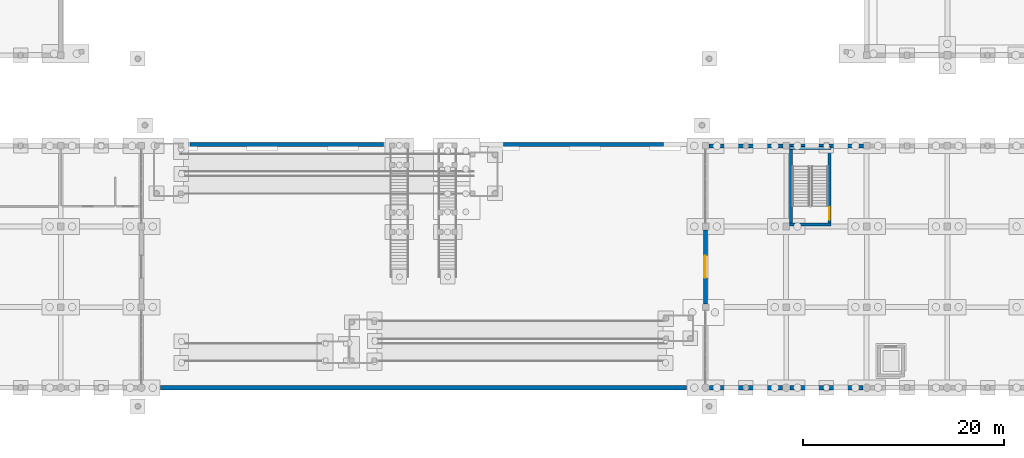
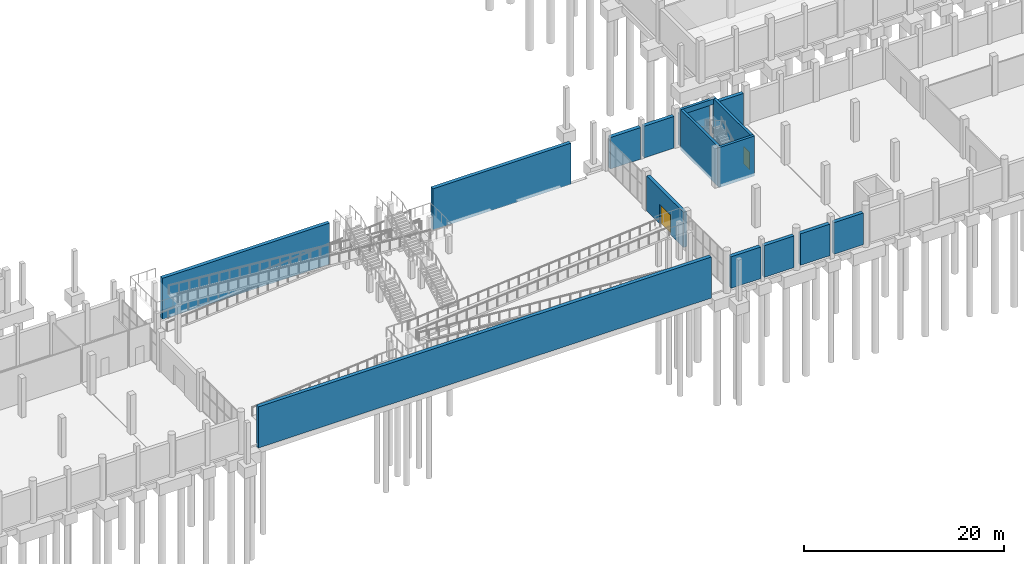
# One storey, part 27 of 52: 16 walls, 2 doors, 2 openings.
"""IFC4 building model written with IfcOpenShell, lengths in metres."""

from ifc_helpers import new_model, si_unit, direction, frame, frame_2d, origin, place, context, subcontext, project, spatial, rectangle, extrude, material, layer, layer_set, type_object, element, fill, save


model = new_model("IFC4")

# Units and contexts
model_context = context("Model", 3, precision=1e-05, world=origin(), true_north=direction((0.0, 1.0)))
body_context = subcontext(model_context, "Body", "Model", "MODEL_VIEW")
ifc_project = project(units=[si_unit("LENGTHUNIT", "METRE"), si_unit("AREAUNIT", "SQUARE_METRE"), si_unit("VOLUMEUNIT", "CUBIC_METRE"), si_unit("PLANEANGLEUNIT", "RADIAN"), si_unit("MASSUNIT", "GRAM", prefix="KILO")], contexts=[model_context])

# Site, building, storey
site_placement = place(None, origin())
site = spatial("IfcSite", under=ifc_project, at=site_placement, CompositionType="ELEMENT")
building_placement = place(site_placement, origin())
building = spatial("IfcBuilding", under=site, at=building_placement, Name="Luwemba Playhouse", CompositionType="ELEMENT")
storey_placement = place(building_placement, frame((0.0, 0.0, -4.800048828125)))
storey = spatial("IfcBuildingStorey", under=building, at=storey_placement, Name="B1", CompositionType="ELEMENT", Elevation=-4.800048828125)

# Wall, opening, door
ifc_material_1 = material(Name="Clay facing brick obra vista masonry", Category="masonry")
ifc_layer_1 = layer(ifc_material_1, 0.3798828125)
ifc_layer_set_1 = layer_set([ifc_layer_1], Name="Clay facing brick obra vista masonry")
wall_type_1 = type_object("IfcWallType", Name="WAL-BRK-380", PredefinedType="SOLIDWALL", material=ifc_layer_set_1)
wall_1_placement = place(storey_placement, frame((116.0, 11.324951171875, 0.0), z_axis=(0.0, 0.0, 1.0), x_axis=(0.0, 1.0, 0.0)))
wall_1 = element("IfcWall", 1, at=wall_1_placement, inside=storey, type_object=wall_type_1, Name="B1 Sunken Forecourt concourse portal wall 0002", PredefinedType="SOLIDWALL", context=body_context, shape_type="SweptSolid", body=[
    extrude(rectangle(XDim=7.35009765625, YDim=0.3798828125, at=frame_2d((3.675048828125, 0.0))), origin(), (0.0, 0.0, 1.0), 4.28515625),
])
opening_1_placement = place(wall_1_placement, frame((2.574951171875, 0.0, 0.0)))
opening_1 = element("IfcOpeningElement", 2, at=opening_1_placement, cuts=wall_1, Name="Opening D-EX2", PredefinedType="OPENING", context=body_context, shape_type="SweptSolid", body=[
    extrude(rectangle(XDim=2.199951171875, YDim=2.39990234375, at=frame_2d((1.10009765625, 1.199951171875))), frame((0.0, 0.199951171875, 0.0), z_axis=(0.0, -1.0, 0.0), x_axis=(1.0, 0.0, 0.0)), (0.0, 0.0, 1.0), 0.39990234375),
])
ifc_material_2 = material(Name="Architectural bronze-anodised aluminium and glazed leaf", Category="aluminium")
door_type_1 = type_object("IfcDoorType", Name="DR-EXIT-220", OperationType="NOTDEFINED", PredefinedType="DOOR", material=ifc_material_2)
door_1_placement = place(opening_1_placement, origin())
door_1 = element("IfcDoor", 3, at=door_1_placement, inside=storey, type_object=door_type_1, Name="B1 Metro Concourse forecourt entrance V5E", OperationType="DOUBLE_DOOR_SINGLE_SWING", OverallHeight=2.39990234375, OverallWidth=2.199951171875, PredefinedType="DOOR", context=body_context, shape_type="SweptSolid", body=[
    extrude(rectangle(XDim=2.199951171875, YDim=2.39990234375, at=frame_2d((1.10009765625, 1.199951171875))), frame((0.0, 0.02490234375, 0.0), z_axis=(0.0, -1.0, 0.0), x_axis=(1.0, 0.0, 0.0)), (0.0, 0.0, 1.0), 0.050048828125),
])
fill(opening_1, door_1)

# Walls
ifc_material_3 = material(Name="Concrete C40/50", Category="concrete")
ifc_layer_2 = layer(ifc_material_3, 0.300048828125)
ifc_layer_set_2 = layer_set([ifc_layer_2], Name="Concrete C40/50")
wall_type_2 = type_object("IfcWallType", Name="WAL-CORE-300", PredefinedType="SHEAR", material=ifc_layer_set_2)
wall_2_placement = place(storey_placement, frame((124.35009765625, 19.18994140625, -0.3798828125), z_axis=(0.0, 0.0, 1.0), x_axis=(1.0, 0.0, 0.0)))
element("IfcWall", 4, at=wall_2_placement, inside=storey, type_object=wall_type_2, Name="B1 ST-14 stair core wall S", PredefinedType="SHEAR", context=body_context, shape_type="SweptSolid", body=[
    extrude(rectangle(XDim=4.099853515625, YDim=0.300048828125, at=frame_2d((2.0498046875, 0.0))), origin(), (0.0, 0.0, 1.0), 4.8798828125),
])
wall_3_placement = place(storey_placement, frame((128.449951171875, 26.81005859375, 3.85009765625), z_axis=(0.0, 0.0, 1.0), x_axis=(-1.0, 0.0, 0.0)))
element("IfcWall", 5, at=wall_3_placement, inside=storey, type_object=wall_type_2, Name="B1 ST-14 stair core wall N", PredefinedType="SHEAR", context=body_context, shape_type="SweptSolid", body=[
    extrude(rectangle(XDim=4.099853515625, YDim=0.300048828125, at=frame_2d((2.0498046875, 0.0))), origin(), (0.0, 0.0, 1.0), 0.64990234375),
])
wall_4_placement = place(storey_placement, frame((124.5, 19.340087890625, -0.3798828125), z_axis=(0.0, 0.0, 1.0), x_axis=(0.0, 1.0, 0.0)))
element("IfcWall", 6, at=wall_4_placement, inside=storey, type_object=wall_type_2, Name="B1 ST-14 stair core wall W", PredefinedType="SHEAR", context=body_context, shape_type="SweptSolid", body=[
    extrude(rectangle(XDim=7.31982421875, YDim=0.300048828125, at=frame_2d((3.659912109375, 0.0))), origin(), (0.0, 0.0, 1.0), 4.8798828125),
])

# Wall, opening, door
wall_5_placement = place(storey_placement, frame((128.300048828125, 19.340087890625, -0.3798828125), z_axis=(0.0, 0.0, 1.0), x_axis=(0.0, 1.0, 0.0)))
wall_5 = element("IfcWall", 7, at=wall_5_placement, inside=storey, type_object=wall_type_2, Name="B1 ST-14 stair core wall E", PredefinedType="SHEAR", context=body_context, shape_type="SweptSolid", body=[
    extrude(rectangle(XDim=7.31982421875, YDim=0.300048828125, at=frame_2d((3.659912109375, 0.0))), origin(), (0.0, 0.0, 1.0), 4.8798828125),
])
opening_2_placement = place(wall_5_placement, frame((0.35009765625, 0.0, 0.3798828125)))
opening_2 = element("IfcOpeningElement", 8, at=opening_2_placement, cuts=wall_5, Name="Opening D-STAIR3", PredefinedType="OPENING", context=body_context, shape_type="SweptSolid", body=[
    extrude(rectangle(XDim=1.199951171875, YDim=2.14990234375, at=frame_2d((0.60009765625, 1.074951171875))), frame((0.0, 0.159912109375, 0.0), z_axis=(0.0, -1.0, 0.0), x_axis=(1.0, 0.0, 0.0)), (0.0, 0.0, 1.0), 0.320068359375),
])
ifc_material_4 = material(Name="Hardwood acoustic fire door leaf", Category="wood")
door_type_2 = type_object("IfcDoorType", Name="DR-STAIR-120", OperationType="NOTDEFINED", PredefinedType="DOOR", material=ifc_material_4)
door_2_placement = place(opening_2_placement, origin())
door_2 = element("IfcDoor", 9, at=door_2_placement, inside=storey, type_object=door_type_2, Name="B1 ST-14 protected stair entry door", OperationType="SINGLE_SWING_RIGHT", OverallHeight=2.14990234375, OverallWidth=1.199951171875, PredefinedType="DOOR", context=body_context, shape_type="SweptSolid", body=[
    extrude(rectangle(XDim=1.199951171875, YDim=2.14990234375, at=frame_2d((0.60009765625, 1.074951171875))), frame((0.0, 0.02490234375, 0.0), z_axis=(0.0, -1.0, 0.0), x_axis=(1.0, 0.0, 0.0)), (0.0, 0.0, 1.0), 0.050048828125),
])
fill(opening_2, door_2)

# Walls
ifc_material_5 = material(Name="Concrete C32/40", Category="concrete")
ifc_layer_3 = layer(ifc_material_5, 0.419921875)
ifc_layer_set_3 = layer_set([ifc_layer_3], Name="Concrete C32/40")
wall_type_3 = type_object("IfcWallType", Name="WAL-RET-420", PredefinedType="USERDEFINED", material=ifc_layer_set_3)
for number, where, z_axis, x_axis, name in (
    (10, (116.324951171875, 27.0, 0.0), (0.0, 0.0, 1.0), (1.0, 0.0, 0.0), "Basement retaining wall 120"),
    (11, (120.199951171875, 27.0, 0.0), (0.0, 0.0, 1.0), (1.0, 0.0, 0.0), "Basement retaining wall 121"),
):
    element("IfcWall", number, at=place(storey_placement, frame(where, z_axis=z_axis, x_axis=x_axis)), inside=storey, type_object=wall_type_3, Name=name, ObjectType="RETAINING WALL", PredefinedType="USERDEFINED", context=body_context, shape_type="SweptSolid", body=[
        extrude(rectangle(XDim=3.47509765625, YDim=0.419921875, at=frame_2d((1.737548828125, 0.0))), origin(), (0.0, 0.0, 1.0), 3.85009765625),
    ])
for number, where, z_axis, x_axis, name in (
    (12, (124.324951171875, 27.0, 0.0), (0.0, 0.0, 1.0), (1.0, 0.0, 0.0), "Basement retaining wall 122"),
    (13, (128.25, 27.0, 0.0), (0.0, 0.0, 1.0), (1.0, 0.0, 0.0), "Basement retaining wall 123"),
):
    element("IfcWall", number, at=place(storey_placement, frame(where, z_axis=z_axis, x_axis=x_axis)), inside=storey, type_object=wall_type_3, Name=name, ObjectType="RETAINING WALL", PredefinedType="USERDEFINED", context=body_context, shape_type="SweptSolid", body=[
        extrude(rectangle(XDim=3.425048828125, YDim=0.419921875, at=frame_2d((1.71240234375, 0.0))), origin(), (0.0, 0.0, 1.0), 3.85009765625),
    ])
for number, where, z_axis, x_axis, name in (
    (14, (131.625, 3.0, 0.0), (0.0, 0.0, 1.0), (-1.0, 0.0, 0.0), "Basement retaining wall 147"),
    (15, (127.75, 3.0, 0.0), (0.0, 0.0, 1.0), (-1.0, 0.0, 0.0), "Basement retaining wall 148"),
):
    element("IfcWall", number, at=place(storey_placement, frame(where, z_axis=z_axis, x_axis=x_axis)), inside=storey, type_object=wall_type_3, Name=name, ObjectType="RETAINING WALL", PredefinedType="USERDEFINED", context=body_context, shape_type="SweptSolid", body=[
        extrude(rectangle(XDim=3.375, YDim=0.419921875, at=frame_2d((1.6875, 0.0))), origin(), (0.0, 0.0, 1.0), 3.85009765625),
    ])
for number, where, z_axis, x_axis, name in (
    (16, (123.625, 3.0, 0.0), (0.0, 0.0, 1.0), (-1.0, 0.0, 0.0), "Basement retaining wall 149"),
    (17, (119.800048828125, 3.0, 0.0), (0.0, 0.0, 1.0), (-1.0, 0.0, 0.0), "Basement retaining wall 150"),
):
    element("IfcWall", number, at=place(storey_placement, frame(where, z_axis=z_axis, x_axis=x_axis)), inside=storey, type_object=wall_type_3, Name=name, ObjectType="RETAINING WALL", PredefinedType="USERDEFINED", context=body_context, shape_type="SweptSolid", body=[
        extrude(rectangle(XDim=3.425048828125, YDim=0.419921875, at=frame_2d((1.71240234375, 0.0))), origin(), (0.0, 0.0, 1.0), 3.85009765625),
    ])
wall_6_placement = place(storey_placement, frame((114.10009765625, 3.0, -0.3798828125), z_axis=(0.0, 0.0, 1.0), x_axis=(-1.0, 0.0, 0.0)))
element("IfcWall", 18, at=wall_6_placement, inside=storey, type_object=wall_type_3, Name="B1 Sunken Metro Forecourt south retaining wall", ObjectType="RETAINING WALL", PredefinedType="USERDEFINED", context=body_context, shape_type="SweptSolid", body=[
    extrude(rectangle(XDim=52.2001953125, YDim=0.419921875, at=frame_2d((26.10009765625, 0.0))), origin(), (0.0, 0.0, 1.0), 5.014892578125),
])
wall_7_placement = place(storey_placement, frame((64.800048828125, 27.14990234375, -0.3798828125), z_axis=(0.0, 0.0, 1.0), x_axis=(1.0, 0.0, 0.0)))
element("IfcWall", 19, at=wall_7_placement, inside=storey, type_object=wall_type_3, Name="B1 Sunken Metro Forecourt north retaining wall 1", ObjectType="RETAINING WALL", PredefinedType="USERDEFINED", context=body_context, shape_type="SweptSolid", body=[
    extrude(rectangle(XDim=19.25, YDim=0.419921875, at=frame_2d((9.625, 0.0))), origin(), (0.0, 0.0, 1.0), 5.014892578125),
])
wall_8_placement = place(storey_placement, frame((95.949951171875, 27.14990234375, -0.3798828125), z_axis=(0.0, 0.0, 1.0), x_axis=(1.0, 0.0, 0.0)))
element("IfcWall", 20, at=wall_8_placement, inside=storey, type_object=wall_type_3, Name="B1 Sunken Metro Forecourt north retaining wall 2", ObjectType="RETAINING WALL", PredefinedType="USERDEFINED", context=body_context, shape_type="SweptSolid", body=[
    extrude(rectangle(XDim=15.900146484375, YDim=0.419921875, at=frame_2d((7.9501953125, 0.0))), origin(), (0.0, 0.0, 1.0), 5.014892578125),
])

save(model, "model.ifc")
